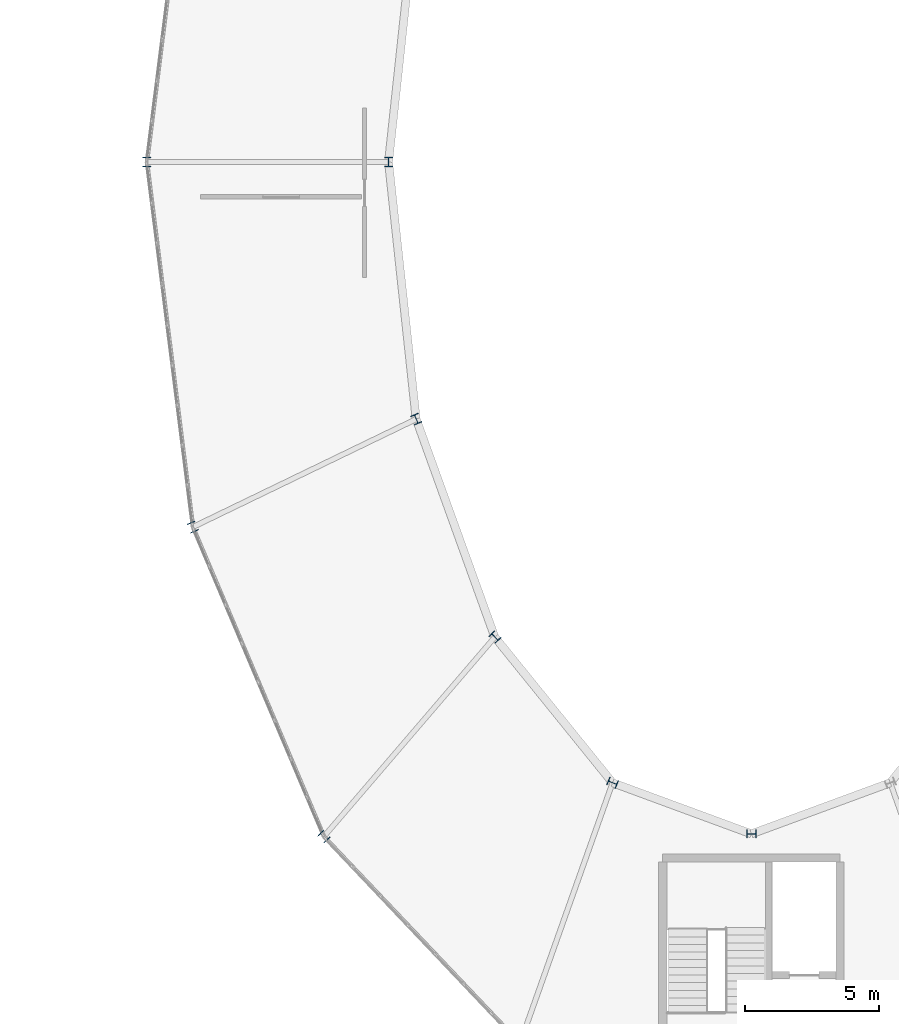
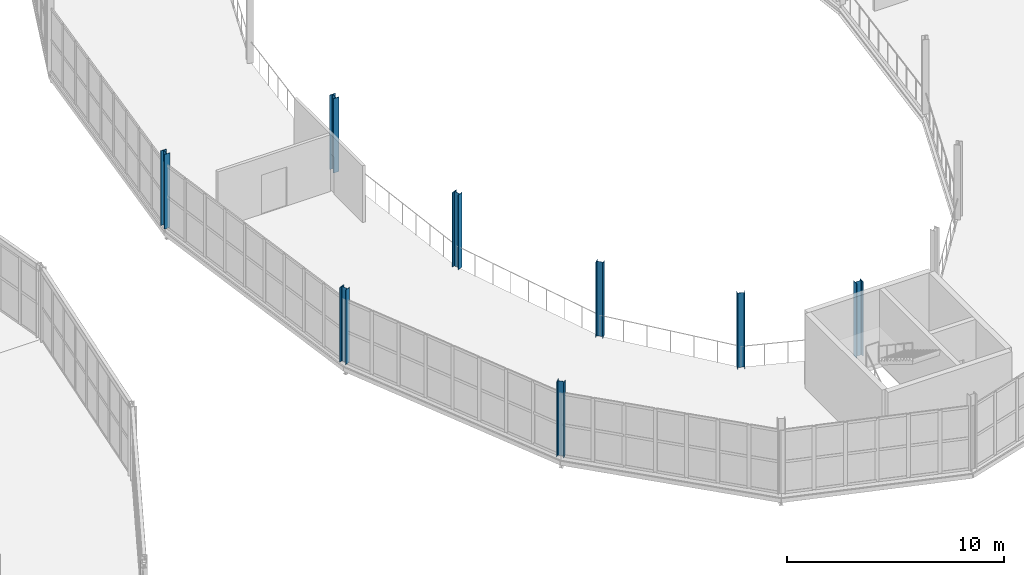
# One storey, part 24 of 161: 8 columns.
"""IFC4 building model written with IfcOpenShell, lengths in metres."""

from ifc_helpers import new_model, si_unit, direction, frame, origin, origin_2d, place, context, subcontext, project, spatial, i_section, extrude, material, material_profile, profile_set, type_object, element, save


model = new_model("IFC4")

# Units and contexts
model_context = context("Model", 3, precision=1e-05, world=origin(), true_north=direction((0.0, 1.0)))
body_context = subcontext(model_context, "Body", "Model", "MODEL_VIEW")
ifc_project = project(units=[si_unit("LENGTHUNIT", "METRE"), si_unit("AREAUNIT", "SQUARE_METRE"), si_unit("VOLUMEUNIT", "CUBIC_METRE"), si_unit("PLANEANGLEUNIT", "RADIAN"), si_unit("MASSUNIT", "GRAM", prefix="KILO")], contexts=[model_context])

# Site, building, storey
site_placement = place(None, origin())
site = spatial("IfcSite", under=ifc_project, at=site_placement, CompositionType="ELEMENT")
building_placement = place(site_placement, origin())
building = spatial("IfcBuilding", under=site, at=building_placement, Name="Kildeholm Park Wholesale Market", CompositionType="ELEMENT")
storey_placement = place(building_placement, frame((0.0, 0.0, 5.39990234375)))
storey = spatial("IfcBuildingStorey", under=building, at=storey_placement, Name="L01", CompositionType="ELEMENT", Elevation=5.39990234375)

# Columns
ifc_material = material(Name="Steel S355", Category="steel")
ifc_material_profile = material_profile(ifc_material, i_section(OverallWidth=0.300048828125, OverallDepth=0.360107421875, WebThickness=0.012451171875, FlangeThickness=0.0224609375, FilletRadius=0.027099609375, at=origin_2d()), Name="HEB 360")
ifc_profile_set = profile_set([ifc_material_profile], Name="Steel S355")
column_type = type_object("IfcColumnType", Name="Column C-S04 HEB 360", PredefinedType="COLUMN", material=ifc_profile_set)
for number, where, z_axis, x_axis, name in (
    (1, (174.5, 94.5, 0.0), (0.0, 0.0, 1.0), (-1.0, 0.0, 0.0), "Column V2-IN-08 L01 COL-0258"),
    (2, (165.5, 94.5, 0.0), (0.0, 0.0, 1.0), (-1.0, 0.0, 0.0), "Column V2-OT-08 L01 COL-0261"),
    (3, (175.528076171875, 84.93310546875, 0.0), (0.0, 0.0, 1.0), (-0.923879532511, -0.382683432365, 0.0), "Column V2-IN-09 L01 COL-0263"),
    (4, (167.212890625, 80.9150390625, 0.0), (0.0, 0.0, 1.0), (-0.923879532511, -0.382683432365, 0.0), "Column V2-OT-09 L01 COL-0266"),
    (5, (178.4541015625, 76.822021484375, 0.0), (0.0, 0.0, 1.0), (-0.707106781187, -0.707106781187, 0.0), "Column V2-IN-10 L01 COL-0268"),
    (6, (172.090087890625, 69.39794921875, 0.0), (0.0, 0.0, 1.0), (-0.707106781187, -0.707106781187, 0.0), "Column V2-OT-10 L01 COL-0271"),
    (7, (182.833984375, 71.403076171875, 0.0), (0.0, 0.0, 1.0), (-0.382683432365, -0.923879532511, 0.0), "Column V2-IN-11 L01 COL-0273"),
    (8, (188.0, 69.5, 0.0), (0.0, 0.0, 1.0), (0.0, -1.0, 0.0), "Column V2-IN-12 L01 COL-0278"),
):
    element("IfcColumn", number, at=place(storey_placement, frame(where, z_axis=z_axis, x_axis=x_axis)), inside=storey, type_object=column_type, Name=name, PredefinedType="COLUMN", context=body_context, shape_type="SweptSolid", body=[
        extrude(i_section(OverallWidth=0.300048828125, OverallDepth=0.360107421875, WebThickness=0.012451171875, FlangeThickness=0.0224609375, FilletRadius=0.027099609375, at=origin_2d()), origin(), (0.0, 0.0, 1.0), 4.2001953125),
    ])

save(model, "model.ifc")
